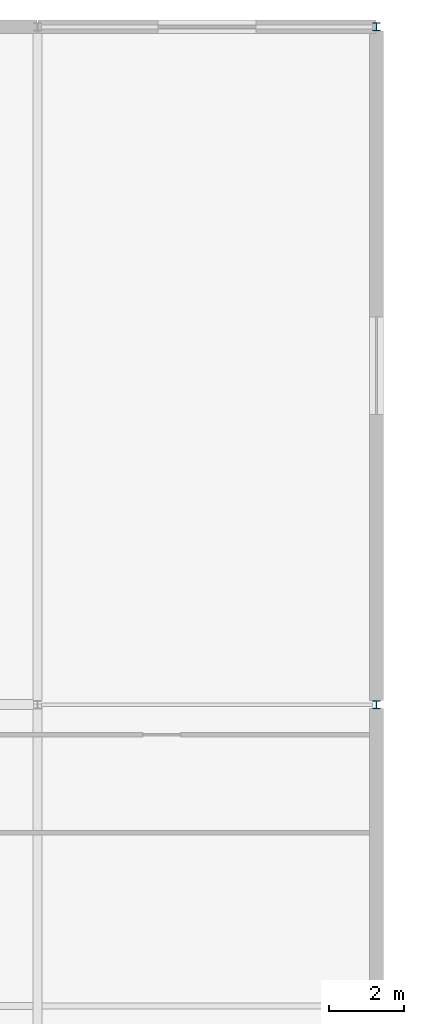
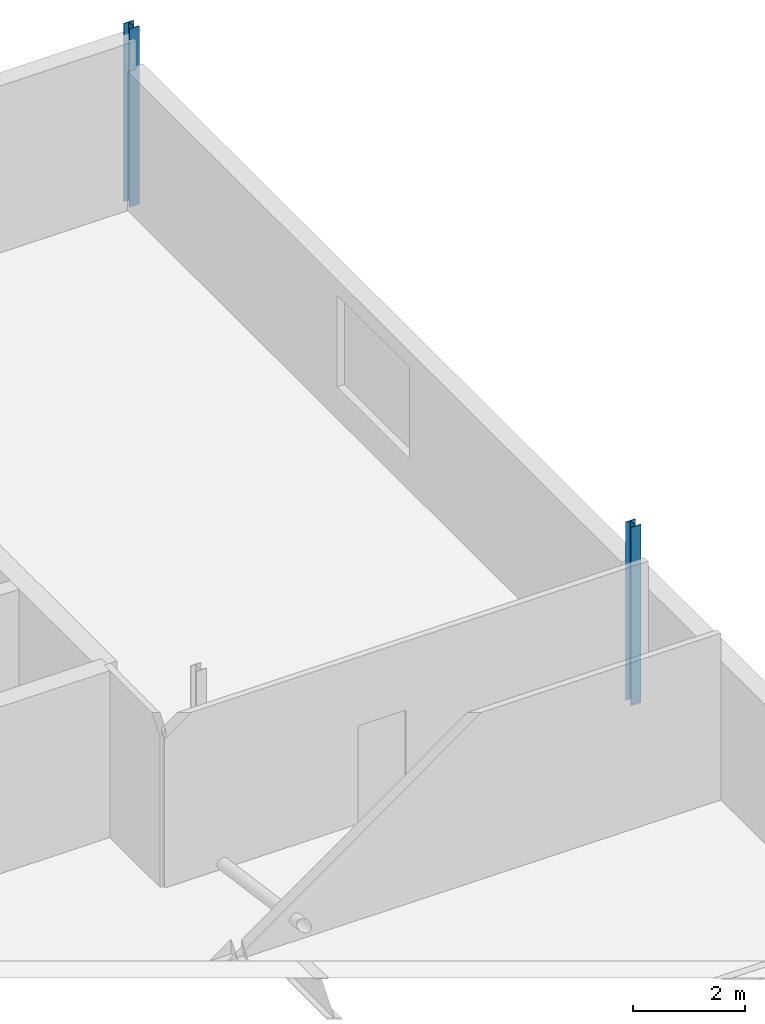
# One storey, part 16 of 35: 2 columns.
"""IFC4 building model written with IfcOpenShell, lengths in metres."""

from ifc_helpers import new_model, si_unit, direction, frame, origin, origin_2d, place, context, subcontext, project, spatial, i_section, extrude, material, material_profile, profile_set, type_object, element, save


model = new_model("IFC4")

# Units and contexts
model_context = context("Model", 3, precision=1e-05, world=origin(), true_north=direction((0.0, 1.0)))
body_context = subcontext(model_context, "Body", "Model", "MODEL_VIEW")
ifc_project = project(units=[si_unit("LENGTHUNIT", "METRE"), si_unit("AREAUNIT", "SQUARE_METRE"), si_unit("VOLUMEUNIT", "CUBIC_METRE"), si_unit("PLANEANGLEUNIT", "RADIAN"), si_unit("MASSUNIT", "GRAM", prefix="KILO")], contexts=[model_context])

# Site, building, storey
site_placement = place(None, origin())
site = spatial("IfcSite", under=ifc_project, at=site_placement, CompositionType="ELEMENT")
building_placement = place(site_placement, origin())
building = spatial("IfcBuilding", under=site, at=building_placement, Name="Kisiwana Market Hall", CompositionType="ELEMENT")
storey_placement = place(building_placement, frame((0.0, 0.0, 61.800048828125)))
storey = spatial("IfcBuildingStorey", under=building, at=storey_placement, Name="L14", CompositionType="ELEMENT", Elevation=61.800048828125)

# Columns
ifc_material = material(Name="Steel S355", Category="steel")
ifc_material_profile = material_profile(ifc_material, i_section(OverallWidth=0.205810546875, OverallDepth=0.209716796875, WebThickness=0.009521484375, FlangeThickness=0.01416015625, FilletRadius=0.01025390625, at=origin_2d()), Name="UC 203x203x60")
ifc_profile_set = profile_set([ifc_material_profile], Name="Steel S355")
column_type = type_object("IfcColumnType", Name="COL-STL-UC060", PredefinedType="COLUMN", material=ifc_profile_set)
for number, where, z_axis, x_axis, name in (
    (1, (198.0, 84.0, 0.0), (0.0, 0.0, 1.0), (1.0, 0.0, 0.0), "Column L/23 (L14) C-1476"),
    (2, (198.0, 102.0, 0.0), (0.0, 0.0, 1.0), (1.0, 0.0, 0.0), "Column N/23 (L14) C-1477"),
):
    element("IfcColumn", number, at=place(storey_placement, frame(where, z_axis=z_axis, x_axis=x_axis)), inside=storey, type_object=column_type, Name=name, PredefinedType="COLUMN", context=body_context, shape_type="SweptSolid", body=[
        extrude(i_section(OverallWidth=0.205810546875, OverallDepth=0.209716796875, WebThickness=0.009521484375, FlangeThickness=0.01416015625, FilletRadius=0.01025390625, at=origin_2d()), origin(), (0.0, 0.0, 1.0), 3.89990234375),
    ])

save(model, "model.ifc")
